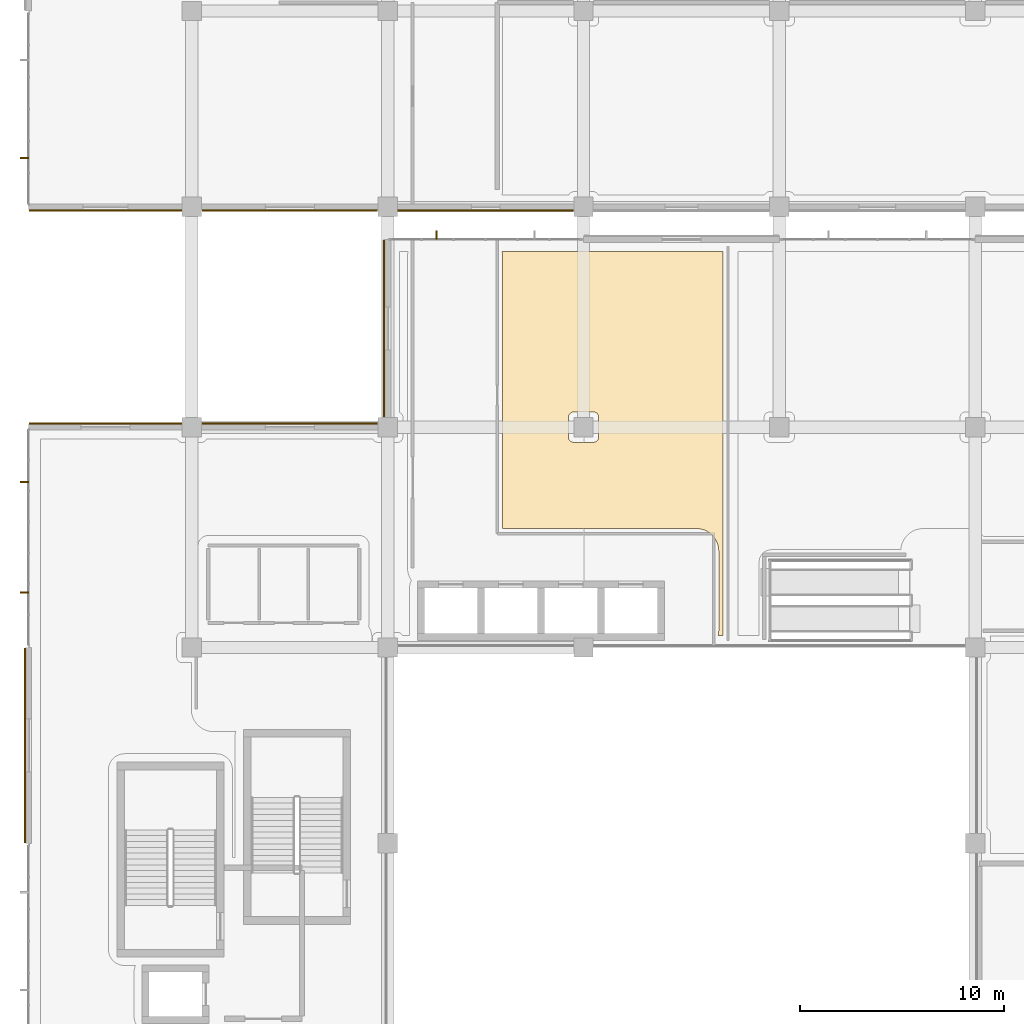
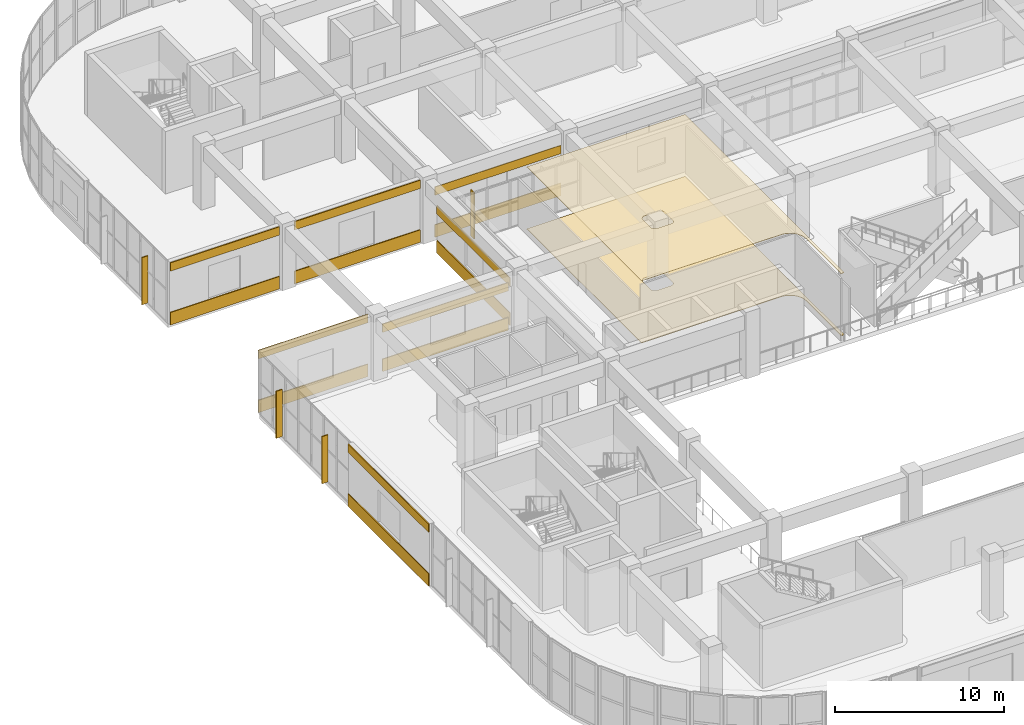
# One storey, part 69 of 86: 16 coverings, 4 shading devices.
"""IFC4 building model written with IfcOpenShell, lengths in metres."""

from ifc_helpers import new_model, si_unit, direction, frame, origin, origin_2d, place, context, subcontext, project, spatial, polyline, rectangle, outline, extrude, material, layer, layer_set, type_object, element, save


model = new_model("IFC4")

# Units and contexts
model_context = context("Model", 3, precision=1e-05, world=origin(), true_north=direction((0.0, 1.0)))
body_context = subcontext(model_context, "Body", "Model", "MODEL_VIEW")
ifc_project = project(units=[si_unit("LENGTHUNIT", "METRE"), si_unit("AREAUNIT", "SQUARE_METRE"), si_unit("VOLUMEUNIT", "CUBIC_METRE"), si_unit("PLANEANGLEUNIT", "RADIAN"), si_unit("MASSUNIT", "GRAM", prefix="KILO")], contexts=[model_context])

# Site, building, storey
site_placement = place(None, origin())
site = spatial("IfcSite", under=ifc_project, at=site_placement, CompositionType="ELEMENT")
building_placement = place(site_placement, origin())
building = spatial("IfcBuilding", under=site, at=building_placement, Name="Cendralis Terraced Arcade", CompositionType="ELEMENT")
storey_placement = place(building_placement, frame((0.0, 0.0, 5.39990234375)))
storey = spatial("IfcBuildingStorey", under=building, at=storey_placement, Name="L01", CompositionType="ELEMENT", Elevation=5.39990234375)

# Coverings
ifc_material_1 = material(Name="Gypsum plasterboard acoustic partition")
ifc_layer_1 = layer(ifc_material_1, 0.02490234375, Name="COV-CEIL-ACOU-25")
ifc_layer_set_1 = layer_set([ifc_layer_1], Name="Gypsum plasterboard acoustic partition")
covering_type_1 = type_object("IfcCoveringType", Name="COV-CEIL-ACOU-25", PredefinedType="CEILING", material=ifc_layer_set_1)
covering_1_placement = place(storey_placement, frame((0.0, 0.0, 4.47998046875)))
element("IfcCovering", 1, at=covering_1_placement, inside=storey, type_object=covering_type_1, Name="Acoustic Soffit Ceiling L01-050", PredefinedType="CEILING", context=body_context, shape_type="SweptSolid", body=[
    extrude(outline(polyline([(35.6298828125, 57.81005859375), (35.6298828125, 38.989990234375), (35.40087890625, 38.989990234375), (35.4033203125, 39.0), (35.40478515625, 39.006103515625), (35.406005859375, 39.01171875), (35.407470703125, 39.017578125), (35.40966796875, 39.029296875), (35.410888671875, 39.035400390625), (35.411865234375, 39.041015625), (35.412841796875, 39.047119140625), (35.421630859375, 39.107421875), (35.422607421875, 39.11328125), (35.42333984375, 39.119384765625), (35.423828125, 39.12548828125), (35.425048828125, 39.13720703125), (35.425537109375, 39.143310546875), (35.426025390625, 39.149169921875), (35.426513671875, 39.1552734375), (35.429443359375, 39.216064453125), (35.429443359375, 39.218994140625), (35.4296875, 39.221923828125), (35.4296875, 39.22509765625), (35.429931640625, 39.23095703125), (35.429931640625, 39.23388671875), (35.429931640625, 39.23681640625), (35.429931640625, 39.239990234375), (35.429931640625, 43.1201171875), (35.429931640625, 43.123046875), (35.429931640625, 43.1259765625), (35.429931640625, 43.129150390625), (35.4296875, 43.135009765625), (35.4296875, 43.137939453125), (35.429443359375, 43.14111328125), (35.429443359375, 43.14404296875), (35.426513671875, 43.204833984375), (35.426025390625, 43.2109375), (35.425537109375, 43.216796875), (35.425048828125, 43.222900390625), (35.423828125, 43.234619140625), (35.42333984375, 43.24072265625), (35.422607421875, 43.24658203125), (35.421630859375, 43.252685546875), (35.412841796875, 43.31298828125), (35.411865234375, 43.31884765625), (35.410888671875, 43.32470703125), (35.40966796875, 43.330810546875), (35.407470703125, 43.34228515625), (35.406005859375, 43.348388671875), (35.40478515625, 43.35400390625), (35.4033203125, 43.360107421875), (35.388671875, 43.4189453125), (35.38720703125, 43.425048828125), (35.385498046875, 43.4306640625), (35.3837890625, 43.4365234375), (35.38037109375, 43.44775390625), (35.37841796875, 43.45361328125), (35.376708984375, 43.459228515625), (35.374755859375, 43.465087890625), (35.354248046875, 43.522216796875), (35.35205078125, 43.528076171875), (35.349853515625, 43.53369140625), (35.34765625, 43.539306640625), (35.343017578125, 43.55029296875), (35.3408203125, 43.555908203125), (35.33837890625, 43.561279296875), (35.335693359375, 43.56689453125), (35.309814453125, 43.621826171875), (35.30712890625, 43.627197265625), (35.304443359375, 43.632568359375), (35.301513671875, 43.637939453125), (35.2958984375, 43.6484375), (35.293212890625, 43.65380859375), (35.290283203125, 43.658935546875), (35.287109375, 43.664306640625), (35.255859375, 43.71630859375), (35.252685546875, 43.7216796875), (35.24951171875, 43.7265625), (35.24609375, 43.731689453125), (35.239501953125, 43.741455078125), (35.236083984375, 43.74658203125), (35.232666015625, 43.75146484375), (35.22900390625, 43.75634765625), (35.19287109375, 43.80517578125), (35.189208984375, 43.81005859375), (35.185546875, 43.814697265625), (35.181640625, 43.819580078125), (35.17431640625, 43.82861328125), (35.170166015625, 43.833251953125), (35.16650390625, 43.837890625), (35.162353515625, 43.84228515625), (35.12158203125, 43.887451171875), (35.1171875, 43.89208984375), (35.11328125, 43.896240234375), (35.10888671875, 43.900634765625), (35.1005859375, 43.908935546875), (35.09619140625, 43.9130859375), (35.092041015625, 43.917236328125), (35.08740234375, 43.92138671875), (35.04248046875, 43.96240234375), (35.037841796875, 43.96630859375), (35.033203125, 43.97021484375), (35.028564453125, 43.97412109375), (35.01953125, 43.981689453125), (35.0146484375, 43.985595703125), (35.010009765625, 43.989013671875), (35.005126953125, 43.992919921875), (34.956298828125, 44.029052734375), (34.951416015625, 44.03271484375), (34.946533203125, 44.0361328125), (34.94140625, 44.03955078125), (34.931640625, 44.046142578125), (34.926513671875, 44.04931640625), (34.921630859375, 44.052490234375), (34.91650390625, 44.055908203125), (34.8642578125, 44.087158203125), (34.85888671875, 44.090087890625), (34.853759765625, 44.093017578125), (34.848388671875, 44.095947265625), (34.837890625, 44.1015625), (34.83251953125, 44.1044921875), (34.827392578125, 44.107177734375), (34.82177734375, 44.109619140625), (34.766845703125, 44.1357421875), (34.76123046875, 44.13818359375), (34.755859375, 44.140625), (34.750244140625, 44.14306640625), (34.7392578125, 44.147705078125), (34.733642578125, 44.14990234375), (34.72802734375, 44.152099609375), (34.722412109375, 44.154296875), (34.6650390625, 44.1748046875), (34.6591796875, 44.1767578125), (34.65380859375, 44.178466796875), (34.647705078125, 44.180419921875), (34.636474609375, 44.183837890625), (34.630615234375, 44.185546875), (34.625, 44.18701171875), (34.618896484375, 44.188720703125), (34.56005859375, 44.203369140625), (34.553955078125, 44.204833984375), (34.54833984375, 44.2060546875), (34.542236328125, 44.20751953125), (34.53076171875, 44.209716796875), (34.524658203125, 44.210693359375), (34.518798828125, 44.2119140625), (34.512939453125, 44.212890625), (34.45263671875, 44.2216796875), (34.446533203125, 44.222412109375), (34.440673828125, 44.223388671875), (34.4345703125, 44.223876953125), (34.4228515625, 44.22509765625), (34.416748046875, 44.2255859375), (34.410888671875, 44.22607421875), (34.40478515625, 44.226318359375), (34.343994140625, 44.2294921875), (34.341064453125, 44.2294921875), (34.337890625, 44.2294921875), (34.3349609375, 44.229736328125), (34.3291015625, 44.22998046875), (34.325927734375, 44.22998046875), (34.322998046875, 44.22998046875), (34.320068359375, 44.22998046875), (24.830078125, 44.22998046875), (24.830078125, 57.56005859375), (24.830078125, 57.56298828125), (24.829833984375, 57.56591796875), (24.829833984375, 57.569091796875), (24.82958984375, 57.574951171875), (24.82958984375, 57.577880859375), (24.82958984375, 57.5810546875), (24.829345703125, 57.583984375), (24.826416015625, 57.644775390625), (24.825927734375, 57.65087890625), (24.82568359375, 57.65673828125), (24.8251953125, 57.662841796875), (24.823974609375, 57.674560546875), (24.8232421875, 57.6806640625), (24.822509765625, 57.6865234375), (24.82177734375, 57.692626953125), (24.812744140625, 57.7529296875), (24.811767578125, 57.7587890625), (24.810791015625, 57.7646484375), (24.809814453125, 57.770751953125), (24.807373046875, 57.7822265625), (24.80615234375, 57.788330078125), (24.8046875, 57.7939453125), (24.803466796875, 57.800048828125), (24.80078125, 57.81005859375), (35.6298828125, 57.81005859375)]), holes=[polyline([(28.185302734375, 48.493896484375), (28.18701171875, 48.492919921875), (28.208740234375, 48.4814453125), (28.21044921875, 48.48046875), (28.233154296875, 48.47119140625), (28.235107421875, 48.470458984375), (28.25830078125, 48.46337890625), (28.260498046875, 48.462890625), (28.284423828125, 48.4580078125), (28.286376953125, 48.457763671875), (28.310791015625, 48.455322265625), (28.312744140625, 48.455322265625), (28.324951171875, 48.455078125), (29.27490234375, 48.455078125), (29.287353515625, 48.455322265625), (29.289306640625, 48.455322265625), (29.313720703125, 48.457763671875), (29.315673828125, 48.4580078125), (29.339599609375, 48.462890625), (29.341552734375, 48.46337890625), (29.364990234375, 48.470458984375), (29.366943359375, 48.47119140625), (29.389404296875, 48.48046875), (29.391357421875, 48.4814453125), (29.4130859375, 48.492919921875), (29.41455078125, 48.493896484375), (29.43505859375, 48.507568359375), (29.4365234375, 48.5087890625), (29.45556640625, 48.5244140625), (29.45703125, 48.525634765625), (29.474365234375, 48.54296875), (29.4755859375, 48.54443359375), (29.4912109375, 48.5634765625), (29.492431640625, 48.56494140625), (29.506103515625, 48.58544921875), (29.507080078125, 48.5869140625), (29.5185546875, 48.608642578125), (29.51953125, 48.610595703125), (29.52880859375, 48.633056640625), (29.529541015625, 48.635009765625), (29.53662109375, 48.658447265625), (29.537109375, 48.660400390625), (29.5419921875, 48.684326171875), (29.542236328125, 48.686279296875), (29.544677734375, 48.710693359375), (29.544677734375, 48.712646484375), (29.544921875, 48.72509765625), (29.544921875, 49.675048828125), (29.544677734375, 49.687255859375), (29.544677734375, 49.689208984375), (29.542236328125, 49.713623046875), (29.5419921875, 49.715576171875), (29.537109375, 49.739501953125), (29.53662109375, 49.74169921875), (29.529541015625, 49.764892578125), (29.52880859375, 49.766845703125), (29.51953125, 49.78955078125), (29.5185546875, 49.791259765625), (29.507080078125, 49.81298828125), (29.506103515625, 49.814697265625), (29.492431640625, 49.8349609375), (29.4912109375, 49.836669921875), (29.4755859375, 49.855712890625), (29.474365234375, 49.85693359375), (29.45703125, 49.87451171875), (29.45556640625, 49.875732421875), (29.4365234375, 49.891357421875), (29.43505859375, 49.892333984375), (29.41455078125, 49.906005859375), (29.4130859375, 49.906982421875), (29.391357421875, 49.918701171875), (29.389404296875, 49.91943359375), (29.366943359375, 49.928955078125), (29.364990234375, 49.929443359375), (29.341552734375, 49.9365234375), (29.339599609375, 49.93701171875), (29.315673828125, 49.94189453125), (29.313720703125, 49.942138671875), (29.289306640625, 49.944580078125), (29.287353515625, 49.944580078125), (29.27490234375, 49.945068359375), (28.324951171875, 49.945068359375), (28.312744140625, 49.944580078125), (28.310791015625, 49.944580078125), (28.286376953125, 49.942138671875), (28.284423828125, 49.94189453125), (28.260498046875, 49.93701171875), (28.25830078125, 49.9365234375), (28.235107421875, 49.929443359375), (28.233154296875, 49.928955078125), (28.21044921875, 49.91943359375), (28.208740234375, 49.918701171875), (28.18701171875, 49.906982421875), (28.185302734375, 49.906005859375), (28.1650390625, 49.892333984375), (28.163330078125, 49.891357421875), (28.144287109375, 49.875732421875), (28.14306640625, 49.87451171875), (28.12548828125, 49.85693359375), (28.124267578125, 49.855712890625), (28.108642578125, 49.836669921875), (28.107666015625, 49.8349609375), (28.093994140625, 49.814697265625), (28.093017578125, 49.81298828125), (28.081298828125, 49.791259765625), (28.08056640625, 49.78955078125), (28.071044921875, 49.766845703125), (28.070556640625, 49.764892578125), (28.0634765625, 49.74169921875), (28.06298828125, 49.739501953125), (28.05810546875, 49.715576171875), (28.057861328125, 49.713623046875), (28.055419921875, 49.689208984375), (28.055419921875, 49.687255859375), (28.054931640625, 49.675048828125), (28.054931640625, 48.72509765625), (28.055419921875, 48.712646484375), (28.055419921875, 48.710693359375), (28.057861328125, 48.686279296875), (28.05810546875, 48.684326171875), (28.06298828125, 48.660400390625), (28.0634765625, 48.658447265625), (28.070556640625, 48.635009765625), (28.071044921875, 48.633056640625), (28.08056640625, 48.610595703125), (28.081298828125, 48.608642578125), (28.093017578125, 48.5869140625), (28.093994140625, 48.58544921875), (28.107666015625, 48.56494140625), (28.108642578125, 48.5634765625), (28.124267578125, 48.54443359375), (28.12548828125, 48.54296875), (28.14306640625, 48.525634765625), (28.144287109375, 48.5244140625), (28.163330078125, 48.5087890625), (28.1650390625, 48.507568359375), (28.185302734375, 48.493896484375)])]), origin(), (0.0, 0.0, 1.0), 0.025146484375),
])
ifc_material_2 = material(Name="Precast concrete f'c 40 MPa", Category="concrete")
ifc_layer_2 = layer(ifc_material_2, 0.06494140625, Name="COV-CLAD-GRC-65")
ifc_layer_set_2 = layer_set([ifc_layer_2], Name="Precast concrete f'c 40 MPa")
covering_type_2 = type_object("IfcCoveringType", Name="COV-CLAD-GRC-65", PredefinedType="CLADDING", material=ifc_layer_set_2)
covering_2_placement = place(storey_placement, frame((24.0, 59.820068359375, 0.000244140625), z_axis=(0.0, 0.0, 1.0), x_axis=(-1.0, 0.0, 0.0)))
element("IfcCovering", 2, at=covering_2_placement, inside=storey, type_object=covering_type_2, Name="Banded Precast Stone Spandrel Cladding L01-117", PredefinedType="CLADDING", context=body_context, shape_type="SweptSolid", body=[
    extrude(rectangle(XDim=8.593994140625, YDim=0.06494140625, at=origin_2d()), origin(), (0.0, 0.0, 1.0), 0.89990234375),
])
covering_3_placement = place(storey_placement, frame((24.0, 59.820068359375, 3.03515625), z_axis=(0.0, 0.0, 1.0), x_axis=(-1.0, 0.0, 0.0)))
element("IfcCovering", 3, at=covering_3_placement, inside=storey, type_object=covering_type_2, Name="Banded Precast Stone Lintel Cladding L01-118", PredefinedType="CLADDING", context=body_context, shape_type="SweptSolid", body=[
    extrude(rectangle(XDim=8.593994140625, YDim=0.06494140625, at=origin_2d()), origin(), (0.0, 0.0, 1.0), 0.60009765625),
])
covering_4_placement = place(storey_placement, frame((14.39990234375, 59.820068359375, 0.000244140625), z_axis=(0.0, 0.0, 1.0), x_axis=(-1.0, 0.0, 0.0)))
element("IfcCovering", 4, at=covering_4_placement, inside=storey, type_object=covering_type_2, Name="Banded Precast Stone Spandrel Cladding L01-119", PredefinedType="CLADDING", context=body_context, shape_type="SweptSolid", body=[
    extrude(rectangle(XDim=8.593994140625, YDim=0.06494140625, at=origin_2d()), origin(), (0.0, 0.0, 1.0), 0.89990234375),
])
covering_5_placement = place(storey_placement, frame((14.39990234375, 59.820068359375, 3.885009765625), z_axis=(0.0, 0.0, 1.0), x_axis=(-1.0, 0.0, 0.0)))
element("IfcCovering", 5, at=covering_5_placement, inside=storey, type_object=covering_type_2, Name="Banded Precast Stone Lintel Cladding L01-120", PredefinedType="CLADDING", context=body_context, shape_type="SweptSolid", body=[
    extrude(rectangle(XDim=8.593994140625, YDim=0.06494140625, at=origin_2d()), origin(), (0.0, 0.0, 1.0), 0.60009765625),
])
covering_6_placement = place(storey_placement, frame((5.363525390625, 59.820068359375, 0.000244140625), z_axis=(0.0, 0.0, 1.0), x_axis=(-1.0, 0.0, 0.0)))
element("IfcCovering", 6, at=covering_6_placement, inside=storey, type_object=covering_type_2, Name="Banded Precast Stone Spandrel Cladding L01-121", PredefinedType="CLADDING", context=body_context, shape_type="SweptSolid", body=[
    extrude(rectangle(XDim=7.467041015625, YDim=0.06494140625, at=origin_2d()), origin(), (0.0, 0.0, 1.0), 0.89990234375),
])
covering_7_placement = place(storey_placement, frame((5.363525390625, 59.820068359375, 3.885009765625), z_axis=(0.0, 0.0, 1.0), x_axis=(-1.0, 0.0, 0.0)))
element("IfcCovering", 7, at=covering_7_placement, inside=storey, type_object=covering_type_2, Name="Banded Precast Stone Lintel Cladding L01-122", PredefinedType="CLADDING", context=body_context, shape_type="SweptSolid", body=[
    extrude(rectangle(XDim=7.467041015625, YDim=0.06494140625, at=origin_2d()), origin(), (0.0, 0.0, 1.0), 0.60009765625),
])
covering_8_placement = place(storey_placement, frame((1.419921875, 33.60009765625, 0.000244140625), z_axis=(0.0, 0.0, 1.0), x_axis=(0.0, 1.0, 0.0)))
element("IfcCovering", 8, at=covering_8_placement, inside=storey, type_object=covering_type_2, Name="Banded Precast Stone Spandrel Cladding L01-183", PredefinedType="CLADDING", context=body_context, shape_type="SweptSolid", body=[
    extrude(rectangle(XDim=9.5400390625, YDim=0.06494140625, at=origin_2d()), origin(), (0.0, 0.0, 1.0), 0.89990234375),
])
covering_9_placement = place(storey_placement, frame((1.419921875, 33.60009765625, 3.885009765625), z_axis=(0.0, 0.0, 1.0), x_axis=(0.0, 1.0, 0.0)))
element("IfcCovering", 9, at=covering_9_placement, inside=storey, type_object=covering_type_2, Name="Banded Precast Stone Lintel Cladding L01-184", PredefinedType="CLADDING", context=body_context, shape_type="SweptSolid", body=[
    extrude(rectangle(XDim=9.5400390625, YDim=0.06494140625, at=origin_2d()), origin(), (0.0, 0.0, 1.0), 0.60009765625),
])
covering_10_placement = place(storey_placement, frame((5.363525390625, 49.3798828125, 0.000244140625), z_axis=(0.0, 0.0, 1.0), x_axis=(1.0, 0.0, 0.0)))
element("IfcCovering", 10, at=covering_10_placement, inside=storey, type_object=covering_type_2, Name="Banded Precast Stone Spandrel Cladding L01-185", PredefinedType="CLADDING", context=body_context, shape_type="SweptSolid", body=[
    extrude(rectangle(XDim=7.467041015625, YDim=0.06494140625, at=origin_2d()), origin(), (0.0, 0.0, 1.0), 0.89990234375),
])
covering_11_placement = place(storey_placement, frame((5.363525390625, 49.3798828125, 3.885009765625), z_axis=(0.0, 0.0, 1.0), x_axis=(1.0, 0.0, 0.0)))
element("IfcCovering", 11, at=covering_11_placement, inside=storey, type_object=covering_type_2, Name="Banded Precast Stone Lintel Cladding L01-186", PredefinedType="CLADDING", context=body_context, shape_type="SweptSolid", body=[
    extrude(rectangle(XDim=7.467041015625, YDim=0.06494140625, at=origin_2d()), origin(), (0.0, 0.0, 1.0), 0.60009765625),
])
covering_12_placement = place(storey_placement, frame((14.39990234375, 49.3798828125, 0.000244140625), z_axis=(0.0, 0.0, 1.0), x_axis=(1.0, 0.0, 0.0)))
element("IfcCovering", 12, at=covering_12_placement, inside=storey, type_object=covering_type_2, Name="Banded Precast Stone Spandrel Cladding L01-187", PredefinedType="CLADDING", context=body_context, shape_type="SweptSolid", body=[
    extrude(rectangle(XDim=8.593994140625, YDim=0.06494140625, at=origin_2d()), origin(), (0.0, 0.0, 1.0), 0.89990234375),
])
covering_13_placement = place(storey_placement, frame((14.39990234375, 49.3798828125, 2.824951171875), z_axis=(0.0, 0.0, 1.0), x_axis=(1.0, 0.0, 0.0)))
element("IfcCovering", 13, at=covering_13_placement, inside=storey, type_object=covering_type_2, Name="Banded Precast Stone Lintel Cladding L01-188", PredefinedType="CLADDING", context=body_context, shape_type="SweptSolid", body=[
    extrude(rectangle(XDim=8.593994140625, YDim=0.06494140625, at=origin_2d()), origin(), (0.0, 0.0, 1.0), 0.60009765625),
])
covering_14_placement = place(storey_placement, frame((19.02001953125, 54.03662109375, 0.000244140625), z_axis=(0.0, 0.0, 1.0), x_axis=(0.0, 1.0, 0.0)))
element("IfcCovering", 14, at=covering_14_placement, inside=storey, type_object=covering_type_2, Name="Banded Precast Stone Spandrel Cladding L01-189", PredefinedType="CLADDING", context=body_context, shape_type="SweptSolid", body=[
    extrude(rectangle(XDim=8.6669921875, YDim=0.06494140625, at=origin_2d()), origin(), (0.0, 0.0, 1.0), 0.89990234375),
])
covering_15_placement = place(storey_placement, frame((19.02001953125, 54.03662109375, 2.824951171875), z_axis=(0.0, 0.0, 1.0), x_axis=(0.0, 1.0, 0.0)))
element("IfcCovering", 15, at=covering_15_placement, inside=storey, type_object=covering_type_2, Name="Banded Precast Stone Lintel Cladding L01-190", PredefinedType="CLADDING", context=body_context, shape_type="SweptSolid", body=[
    extrude(rectangle(XDim=8.6669921875, YDim=0.06494140625, at=origin_2d()), origin(), (0.0, 0.0, 1.0), 0.60009765625),
])
ifc_material_3 = material(Name="Polished Bogota limestone terrazzo flooring", Category="masonry")
ifc_layer_3 = layer(ifc_material_3, 0.030029296875, Name="COV-FLR-TERZ-30")
ifc_layer_set_3 = layer_set([ifc_layer_3], Name="Polished Bogota limestone terrazzo flooring")
covering_type_3 = type_object("IfcCoveringType", Name="COV-FLR-TERZ-30", PredefinedType="FLOORING", material=ifc_layer_set_3)
covering_16_placement = place(storey_placement, origin())
element("IfcCovering", 16, at=covering_16_placement, inside=storey, type_object=covering_type_3, Name="Interior Finish Flooring L01-050", PredefinedType="FLOORING", context=body_context, shape_type="SweptSolid", body=[
    extrude(outline(polyline([(35.6298828125, 57.81005859375), (35.6298828125, 38.989990234375), (35.40087890625, 38.989990234375), (35.4033203125, 39.0), (35.40478515625, 39.006103515625), (35.406005859375, 39.01171875), (35.407470703125, 39.017578125), (35.40966796875, 39.029296875), (35.410888671875, 39.035400390625), (35.411865234375, 39.041015625), (35.412841796875, 39.047119140625), (35.421630859375, 39.107421875), (35.422607421875, 39.11328125), (35.42333984375, 39.119384765625), (35.423828125, 39.12548828125), (35.425048828125, 39.13720703125), (35.425537109375, 39.143310546875), (35.426025390625, 39.149169921875), (35.426513671875, 39.1552734375), (35.429443359375, 39.216064453125), (35.429443359375, 39.218994140625), (35.4296875, 39.221923828125), (35.4296875, 39.22509765625), (35.429931640625, 39.23095703125), (35.429931640625, 39.23388671875), (35.429931640625, 39.23681640625), (35.429931640625, 39.239990234375), (35.429931640625, 43.1201171875), (35.429931640625, 43.123046875), (35.429931640625, 43.1259765625), (35.429931640625, 43.129150390625), (35.4296875, 43.135009765625), (35.4296875, 43.137939453125), (35.429443359375, 43.14111328125), (35.429443359375, 43.14404296875), (35.426513671875, 43.204833984375), (35.426025390625, 43.2109375), (35.425537109375, 43.216796875), (35.425048828125, 43.222900390625), (35.423828125, 43.234619140625), (35.42333984375, 43.24072265625), (35.422607421875, 43.24658203125), (35.421630859375, 43.252685546875), (35.412841796875, 43.31298828125), (35.411865234375, 43.31884765625), (35.410888671875, 43.32470703125), (35.40966796875, 43.330810546875), (35.407470703125, 43.34228515625), (35.406005859375, 43.348388671875), (35.40478515625, 43.35400390625), (35.4033203125, 43.360107421875), (35.388671875, 43.4189453125), (35.38720703125, 43.425048828125), (35.385498046875, 43.4306640625), (35.3837890625, 43.4365234375), (35.38037109375, 43.44775390625), (35.37841796875, 43.45361328125), (35.376708984375, 43.459228515625), (35.374755859375, 43.465087890625), (35.354248046875, 43.522216796875), (35.35205078125, 43.528076171875), (35.349853515625, 43.53369140625), (35.34765625, 43.539306640625), (35.343017578125, 43.55029296875), (35.3408203125, 43.555908203125), (35.33837890625, 43.561279296875), (35.335693359375, 43.56689453125), (35.309814453125, 43.621826171875), (35.30712890625, 43.627197265625), (35.304443359375, 43.632568359375), (35.301513671875, 43.637939453125), (35.2958984375, 43.6484375), (35.293212890625, 43.65380859375), (35.290283203125, 43.658935546875), (35.287109375, 43.664306640625), (35.255859375, 43.71630859375), (35.252685546875, 43.7216796875), (35.24951171875, 43.7265625), (35.24609375, 43.731689453125), (35.239501953125, 43.741455078125), (35.236083984375, 43.74658203125), (35.232666015625, 43.75146484375), (35.22900390625, 43.75634765625), (35.19287109375, 43.80517578125), (35.189208984375, 43.81005859375), (35.185546875, 43.814697265625), (35.181640625, 43.819580078125), (35.17431640625, 43.82861328125), (35.170166015625, 43.833251953125), (35.16650390625, 43.837890625), (35.162353515625, 43.84228515625), (35.12158203125, 43.887451171875), (35.1171875, 43.89208984375), (35.11328125, 43.896240234375), (35.10888671875, 43.900634765625), (35.1005859375, 43.908935546875), (35.09619140625, 43.9130859375), (35.092041015625, 43.917236328125), (35.08740234375, 43.92138671875), (35.04248046875, 43.96240234375), (35.037841796875, 43.96630859375), (35.033203125, 43.97021484375), (35.028564453125, 43.97412109375), (35.01953125, 43.981689453125), (35.0146484375, 43.985595703125), (35.010009765625, 43.989013671875), (35.005126953125, 43.992919921875), (34.956298828125, 44.029052734375), (34.951416015625, 44.03271484375), (34.946533203125, 44.0361328125), (34.94140625, 44.03955078125), (34.931640625, 44.046142578125), (34.926513671875, 44.04931640625), (34.921630859375, 44.052490234375), (34.91650390625, 44.055908203125), (34.8642578125, 44.087158203125), (34.85888671875, 44.090087890625), (34.853759765625, 44.093017578125), (34.848388671875, 44.095947265625), (34.837890625, 44.1015625), (34.83251953125, 44.1044921875), (34.827392578125, 44.107177734375), (34.82177734375, 44.109619140625), (34.766845703125, 44.1357421875), (34.76123046875, 44.13818359375), (34.755859375, 44.140625), (34.750244140625, 44.14306640625), (34.7392578125, 44.147705078125), (34.733642578125, 44.14990234375), (34.72802734375, 44.152099609375), (34.722412109375, 44.154296875), (34.6650390625, 44.1748046875), (34.6591796875, 44.1767578125), (34.65380859375, 44.178466796875), (34.647705078125, 44.180419921875), (34.636474609375, 44.183837890625), (34.630615234375, 44.185546875), (34.625, 44.18701171875), (34.618896484375, 44.188720703125), (34.56005859375, 44.203369140625), (34.553955078125, 44.204833984375), (34.54833984375, 44.2060546875), (34.542236328125, 44.20751953125), (34.53076171875, 44.209716796875), (34.524658203125, 44.210693359375), (34.518798828125, 44.2119140625), (34.512939453125, 44.212890625), (34.45263671875, 44.2216796875), (34.446533203125, 44.222412109375), (34.440673828125, 44.223388671875), (34.4345703125, 44.223876953125), (34.4228515625, 44.22509765625), (34.416748046875, 44.2255859375), (34.410888671875, 44.22607421875), (34.40478515625, 44.226318359375), (34.343994140625, 44.2294921875), (34.341064453125, 44.2294921875), (34.337890625, 44.2294921875), (34.3349609375, 44.229736328125), (34.3291015625, 44.22998046875), (34.325927734375, 44.22998046875), (34.322998046875, 44.22998046875), (34.320068359375, 44.22998046875), (24.830078125, 44.22998046875), (24.830078125, 57.56005859375), (24.830078125, 57.56298828125), (24.829833984375, 57.56591796875), (24.829833984375, 57.569091796875), (24.82958984375, 57.574951171875), (24.82958984375, 57.577880859375), (24.82958984375, 57.5810546875), (24.829345703125, 57.583984375), (24.826416015625, 57.644775390625), (24.825927734375, 57.65087890625), (24.82568359375, 57.65673828125), (24.8251953125, 57.662841796875), (24.823974609375, 57.674560546875), (24.8232421875, 57.6806640625), (24.822509765625, 57.6865234375), (24.82177734375, 57.692626953125), (24.812744140625, 57.7529296875), (24.811767578125, 57.7587890625), (24.810791015625, 57.7646484375), (24.809814453125, 57.770751953125), (24.807373046875, 57.7822265625), (24.80615234375, 57.788330078125), (24.8046875, 57.7939453125), (24.803466796875, 57.800048828125), (24.80078125, 57.81005859375), (35.6298828125, 57.81005859375)]), holes=[polyline([(28.185302734375, 48.493896484375), (28.18701171875, 48.492919921875), (28.208740234375, 48.4814453125), (28.21044921875, 48.48046875), (28.233154296875, 48.47119140625), (28.235107421875, 48.470458984375), (28.25830078125, 48.46337890625), (28.260498046875, 48.462890625), (28.284423828125, 48.4580078125), (28.286376953125, 48.457763671875), (28.310791015625, 48.455322265625), (28.312744140625, 48.455322265625), (28.324951171875, 48.455078125), (29.27490234375, 48.455078125), (29.287353515625, 48.455322265625), (29.289306640625, 48.455322265625), (29.313720703125, 48.457763671875), (29.315673828125, 48.4580078125), (29.339599609375, 48.462890625), (29.341552734375, 48.46337890625), (29.364990234375, 48.470458984375), (29.366943359375, 48.47119140625), (29.389404296875, 48.48046875), (29.391357421875, 48.4814453125), (29.4130859375, 48.492919921875), (29.41455078125, 48.493896484375), (29.43505859375, 48.507568359375), (29.4365234375, 48.5087890625), (29.45556640625, 48.5244140625), (29.45703125, 48.525634765625), (29.474365234375, 48.54296875), (29.4755859375, 48.54443359375), (29.4912109375, 48.5634765625), (29.492431640625, 48.56494140625), (29.506103515625, 48.58544921875), (29.507080078125, 48.5869140625), (29.5185546875, 48.608642578125), (29.51953125, 48.610595703125), (29.52880859375, 48.633056640625), (29.529541015625, 48.635009765625), (29.53662109375, 48.658447265625), (29.537109375, 48.660400390625), (29.5419921875, 48.684326171875), (29.542236328125, 48.686279296875), (29.544677734375, 48.710693359375), (29.544677734375, 48.712646484375), (29.544921875, 48.72509765625), (29.544921875, 49.675048828125), (29.544677734375, 49.687255859375), (29.544677734375, 49.689208984375), (29.542236328125, 49.713623046875), (29.5419921875, 49.715576171875), (29.537109375, 49.739501953125), (29.53662109375, 49.74169921875), (29.529541015625, 49.764892578125), (29.52880859375, 49.766845703125), (29.51953125, 49.78955078125), (29.5185546875, 49.791259765625), (29.507080078125, 49.81298828125), (29.506103515625, 49.814697265625), (29.492431640625, 49.8349609375), (29.4912109375, 49.836669921875), (29.4755859375, 49.855712890625), (29.474365234375, 49.85693359375), (29.45703125, 49.87451171875), (29.45556640625, 49.875732421875), (29.4365234375, 49.891357421875), (29.43505859375, 49.892333984375), (29.41455078125, 49.906005859375), (29.4130859375, 49.906982421875), (29.391357421875, 49.918701171875), (29.389404296875, 49.91943359375), (29.366943359375, 49.928955078125), (29.364990234375, 49.929443359375), (29.341552734375, 49.9365234375), (29.339599609375, 49.93701171875), (29.315673828125, 49.94189453125), (29.313720703125, 49.942138671875), (29.289306640625, 49.944580078125), (29.287353515625, 49.944580078125), (29.27490234375, 49.945068359375), (28.324951171875, 49.945068359375), (28.312744140625, 49.944580078125), (28.310791015625, 49.944580078125), (28.286376953125, 49.942138671875), (28.284423828125, 49.94189453125), (28.260498046875, 49.93701171875), (28.25830078125, 49.9365234375), (28.235107421875, 49.929443359375), (28.233154296875, 49.928955078125), (28.21044921875, 49.91943359375), (28.208740234375, 49.918701171875), (28.18701171875, 49.906982421875), (28.185302734375, 49.906005859375), (28.1650390625, 49.892333984375), (28.163330078125, 49.891357421875), (28.144287109375, 49.875732421875), (28.14306640625, 49.87451171875), (28.12548828125, 49.85693359375), (28.124267578125, 49.855712890625), (28.108642578125, 49.836669921875), (28.107666015625, 49.8349609375), (28.093994140625, 49.814697265625), (28.093017578125, 49.81298828125), (28.081298828125, 49.791259765625), (28.08056640625, 49.78955078125), (28.071044921875, 49.766845703125), (28.070556640625, 49.764892578125), (28.0634765625, 49.74169921875), (28.06298828125, 49.739501953125), (28.05810546875, 49.715576171875), (28.057861328125, 49.713623046875), (28.055419921875, 49.689208984375), (28.055419921875, 49.687255859375), (28.054931640625, 49.675048828125), (28.054931640625, 48.72509765625), (28.055419921875, 48.712646484375), (28.055419921875, 48.710693359375), (28.057861328125, 48.686279296875), (28.05810546875, 48.684326171875), (28.06298828125, 48.660400390625), (28.0634765625, 48.658447265625), (28.070556640625, 48.635009765625), (28.071044921875, 48.633056640625), (28.08056640625, 48.610595703125), (28.081298828125, 48.608642578125), (28.093017578125, 48.5869140625), (28.093994140625, 48.58544921875), (28.107666015625, 48.56494140625), (28.108642578125, 48.5634765625), (28.124267578125, 48.54443359375), (28.12548828125, 48.54296875), (28.14306640625, 48.525634765625), (28.144287109375, 48.5244140625), (28.163330078125, 48.5087890625), (28.1650390625, 48.507568359375), (28.185302734375, 48.493896484375)])]), origin(), (0.0, 0.0, 1.0), 0.030029296875),
])

# Shading devices
ifc_material_4 = material(Name="Anodised aluminium EN AW-6063 T6", Category="aluminium")
shading_device_type = type_object("IfcShadingDeviceType", Name="SHD-FIN-420", PredefinedType="USERDEFINED", material=ifc_material_4)
for number, where, z_axis, x_axis, name in (
    (17, (1.385009765625, 62.39990234375, 0.050048828125), (0.0, 0.0, 1.0), (0.0, 1.0, 0.0), "Parametric Vertical Solar Fin FIN-L01-001"),
    (18, (1.385009765625, 41.10009765625, 0.050048828125), (0.0, 0.0, 1.0), (0.0, 1.0, 0.0), "Parametric Vertical Solar Fin FIN-L01-031"),
    (19, (1.385009765625, 46.5, 0.050048828125), (0.0, 0.0, 1.0), (0.0, 1.0, 0.0), "Parametric Vertical Solar Fin FIN-L01-032"),
):
    element("IfcShadingDevice", number, at=place(storey_placement, frame(where, z_axis=z_axis, x_axis=x_axis)), inside=storey, type_object=shading_device_type, Name=name, ObjectType="FIN", PredefinedType="USERDEFINED", context=body_context, shape_type="SweptSolid", body=[
        extrude(rectangle(XDim=0.074951171875, YDim=0.419921875, at=origin_2d()), origin(), (0.0, 0.0, 1.0), 3.39990234375),
    ])
shading_device_placement = place(storey_placement, frame((21.60009765625, 58.614990234375, 0.05029296875), z_axis=(0.0, 0.0, 1.0), x_axis=(1.0, 0.0, 0.0)))
element("IfcShadingDevice", 20, at=shading_device_placement, inside=storey, type_object=shading_device_type, Name="Parametric Vertical Solar Fin FIN-L01-033", ObjectType="FIN", PredefinedType="USERDEFINED", context=body_context, shape_type="SweptSolid", body=[
    extrude(rectangle(XDim=0.074951171875, YDim=0.419921875, at=origin_2d()), origin(), (0.0, 0.0, 1.0), 3.344970703125),
])

save(model, "model.ifc")
